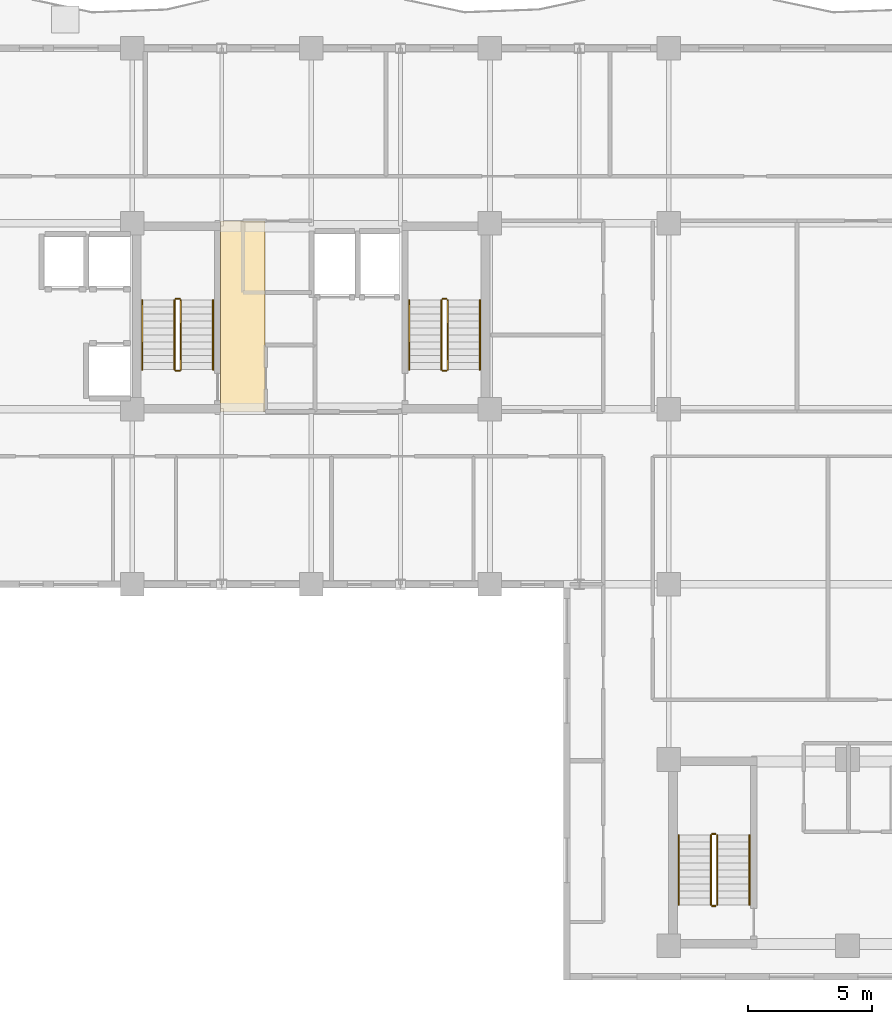
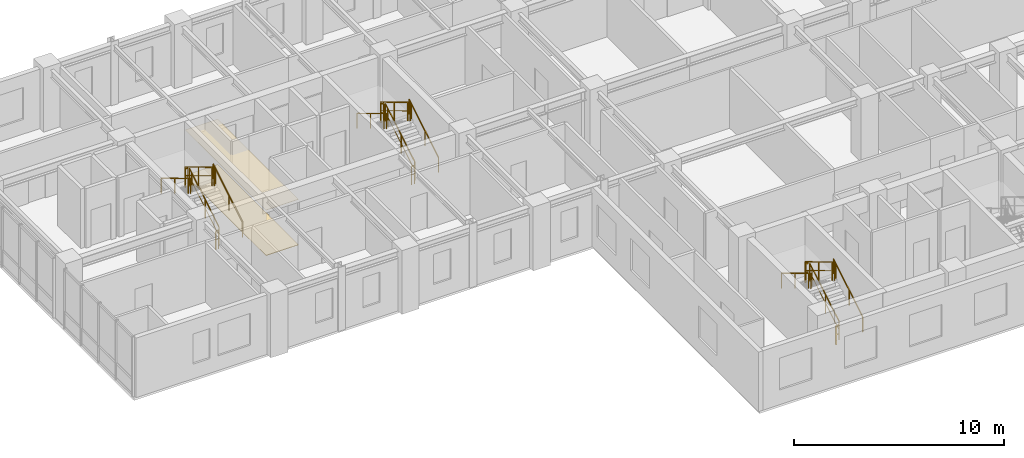
# One storey, part 18 of 20: 18 railings, 2 coverings.
"""IFC4 building model written with IfcOpenShell, lengths in metres."""

import ifcopenshell
import ifcopenshell.guid

model = None  # the IFC model being written
_history = None  # IfcOwnerHistory: only IFC2X3 demands one
_inside = {}  # id of a spatial element -> (the spatial element, [elements in it])
_under = {}  # id of a project, library or spatial element -> (it, [spatial elements below it])
_declared = {}  # id of a project -> (the project, [libraries it declares])
_typed = {}  # id of a type object -> (the type object, [elements of that type])
_made_of = {}  # id of a material, layer set ... -> (it, [elements and type objects made of it])


def new_model(schema):
    """Start an empty IFC model of exactly this schema.

    Asked for "IFC4X3", IfcOpenShell would pick the latest addendum, in which some entities
    have other attributes; the version numbers below select the first issue.
    IFC2X3 requires an IfcOwnerHistory on every rooted entity: one is made here for all.
    """
    global model, _history
    if schema == "IFC4X3":
        model = ifcopenshell.file(schema_version=(4, 3, 0, 0))
    else:
        model = ifcopenshell.file(schema=schema)
    _inside.clear()
    _under.clear()
    _declared.clear()
    _typed.clear()
    _made_of.clear()
    _history = None
    if model.schema == "IFC2X3":
        org = make("IfcOrganization", Name="unknown")
        user = make(
            "IfcPersonAndOrganization",
            ThePerson=make("IfcPerson", FamilyName="unknown"),
            TheOrganization=org,
        )
        app = make(
            "IfcApplication",
            ApplicationDeveloper=org,
            Version="unknown",
            ApplicationFullName="unknown",
            ApplicationIdentifier="unknown",
        )
        _history = make(
            "IfcOwnerHistory",
            OwningUser=user,
            OwningApplication=app,
            ChangeAction="ADDED",
            CreationDate=0,
        )
    return model


def make(cls, **values):
    """One entity of the class cls with the attributes given. An attribute that is None is left unset."""
    return model.create_entity(
        cls, **{name: value for name, value in values.items() if value is not None}
    )


def rooted(cls, **values):
    """An entity with a GlobalId (a new one), such as an element, a storey or a relation."""
    return make(cls, GlobalId=ifcopenshell.guid.new(), OwnerHistory=_history, **values)


def si_unit(unit_type, name, prefix=None):
    """IfcSIUnit, for example si_unit("LENGTHUNIT", "METRE", prefix="MILLI")."""
    return make("IfcSIUnit", UnitType=unit_type, Prefix=prefix, Name=name)


def assignment(units):
    """IfcUnitAssignment: the units of a project."""
    return None if units is None else make("IfcUnitAssignment", Units=units)


def point(xyz):
    """IfcCartesianPoint."""
    return None if xyz is None else make("IfcCartesianPoint", Coordinates=xyz)


def direction(xyz):
    """IfcDirection."""
    return None if xyz is None else make("IfcDirection", DirectionRatios=xyz)


def frame(location, z_axis=None, x_axis=None):
    """IfcAxis2Placement3D, a coordinate frame: its origin and axes. An axis left out is left unset."""
    return make(
        "IfcAxis2Placement3D",
        Location=point(location),
        Axis=direction(z_axis),
        RefDirection=direction(x_axis),
    )


def frame_2d(location, x_axis=None):
    """IfcAxis2Placement2D, a coordinate frame in the plane: its origin and x axis."""
    return make(
        "IfcAxis2Placement2D", Location=point(location), RefDirection=direction(x_axis)
    )


def origin():
    """The frame at (0, 0, 0) with its axes left unset."""
    return frame((0.0, 0.0, 0.0))


def origin_2d():
    """The frame at (0, 0) in the plane with its x axis left unset."""
    return frame_2d((0.0, 0.0))


def place(relative_to, where):
    """IfcLocalPlacement: puts the frame where relative to a parent placement (None: the world)."""
    return make(
        "IfcLocalPlacement", PlacementRelTo=relative_to, RelativePlacement=where
    )


def context(
    kind, dimensions, precision=None, world=None, true_north=None, identifier=None
):
    """IfcGeometricRepresentationContext, for example the 3D "Model" context."""
    return make(
        "IfcGeometricRepresentationContext",
        ContextIdentifier=identifier,
        ContextType=kind,
        CoordinateSpaceDimension=dimensions,
        Precision=precision,
        WorldCoordinateSystem=world,
        TrueNorth=true_north,
    )


def subcontext(parent, identifier, kind, view, scale=None):
    """IfcGeometricRepresentationSubContext, for example "Body" below "Model"."""
    return make(
        "IfcGeometricRepresentationSubContext",
        ContextIdentifier=identifier,
        ContextType=kind,
        ParentContext=parent,
        TargetScale=scale,
        TargetView=view,
    )


def project(units=None, contexts=None):
    """IfcProject with its units and contexts."""
    return rooted(
        "IfcProject",
        Name="project",
        RepresentationContexts=contexts,
        UnitsInContext=assignment(units),
    )


def spatial(cls, under=None, at=None, **own):
    """A site, building, storey or space (cls), placed at a placement, below another one or the project."""
    s = rooted(cls, ObjectPlacement=at, **own)
    if under is not None:
        _under.setdefault(under.id(), (under, []))[1].append(s)
    return s


def profile(cls, at=None, kind="AREA", **sizes):
    """A parametric profile (cls). Its sizes go by their IFC names, for example OverallWidth=200.0."""
    return make(cls, ProfileType=kind, Position=at, **sizes)


def rectangle(**sizes):
    """IfcRectangleProfileDef."""
    return profile("IfcRectangleProfileDef", **sizes)


def extrude(swept, where, along, depth):
    """IfcExtrudedAreaSolid: the profile swept, set in the frame where, extruded along a direction by depth."""
    return make(
        "IfcExtrudedAreaSolid",
        SweptArea=swept,
        Position=where,
        ExtrudedDirection=direction(along),
        Depth=depth,
    )


def shape(context_of_items, identifier, shape_type, items):
    """IfcShapeRepresentation: the items that make up one representation, for example the "Body"."""
    return make(
        "IfcShapeRepresentation",
        ContextOfItems=context_of_items,
        RepresentationIdentifier=identifier,
        RepresentationType=shape_type,
        Items=items,
    )


def source(mapping_origin, context_of_items, identifier, shape_type, items):
    """IfcRepresentationMap: a shape defined once, which mapped items show again and again."""
    return make(
        "IfcRepresentationMap",
        MappingOrigin=mapping_origin,
        MappedRepresentation=shape(context_of_items, identifier, shape_type, items),
    )


def transform(
    local_origin,
    x_axis=None,
    y_axis=None,
    z_axis=None,
    scale=None,
    scale2=None,
    scale3=None,
    uniform=True,
):
    """IfcCartesianTransformationOperator3D, or its non-uniform kind. x_axis, y_axis, z_axis: its Axis1, 2, 3."""
    if uniform:
        return make(
            "IfcCartesianTransformationOperator3D",
            Axis1=direction(x_axis),
            Axis2=direction(y_axis),
            LocalOrigin=point(local_origin),
            Scale=scale,
            Axis3=direction(z_axis),
        )
    return make(
        "IfcCartesianTransformationOperator3DnonUniform",
        Axis1=direction(x_axis),
        Axis2=direction(y_axis),
        LocalOrigin=point(local_origin),
        Scale=scale,
        Axis3=direction(z_axis),
        Scale2=scale2,
        Scale3=scale3,
    )


def mapped(mapping_source, mapping_target):
    """IfcMappedItem: shows the shape of a source again, moved by a transform."""
    return make(
        "IfcMappedItem", MappingSource=mapping_source, MappingTarget=mapping_target
    )


def material(Name=None, Category=None):
    """IfcMaterial."""
    return make("IfcMaterial", Name=Name, Category=Category)


def layer(
    of_material, thickness, ventilated=None, Name=None, Category=None, Priority=None
):
    """IfcMaterialLayer: one layer of a wall or slab, of a material (None: an air gap)."""
    return make(
        "IfcMaterialLayer",
        Material=of_material,
        LayerThickness=thickness,
        IsVentilated=ventilated,
        Name=Name,
        Category=Category,
        Priority=Priority,
    )


def layer_set(layers, Name=None):
    """IfcMaterialLayerSet."""
    return make("IfcMaterialLayerSet", MaterialLayers=layers, LayerSetName=Name)


def made_of(thing, what):
    """Note that an element or type object is made of a material, layer set ...; save() writes the relation."""
    if what is not None:
        _made_of.setdefault(what.id(), (what, []))[1].append(thing)
    return thing


def type_object(cls, material=None, **own):
    """A type object (cls), such as IfcWallType, which elements share."""
    return made_of(rooted(cls, **own), material)


def element(
    cls,
    number,
    at=None,
    inside=None,
    cuts=None,
    type_object=None,
    material=None,
    context=None,
    identifier="Body",
    shape_type=None,
    held_by="IfcProductDefinitionShape",
    body=None,
    shapes=None,
    **own,
):
    """One element of the class cls, such as IfcWall. Its Tag is "e" and its number.

    at: its placement. inside: the storey or other place that contains it. cuts: it is an
    opening in that element (IfcRelVoidsElement). A single representation is given by context,
    identifier, shape_type and body (its items); several are given by shapes. held_by: the class
    of the entity that holds the representations. save() writes the other relations.
    """
    e = rooted(cls, Tag="e%d" % number, ObjectPlacement=at, **own)
    if body is not None:
        shapes = [shape(context, identifier, shape_type, body)]
    if shapes is not None:
        e.Representation = make(held_by, Representations=shapes)
    if inside is not None:
        _inside.setdefault(inside.id(), (inside, []))[1].append(e)
    if cuts is not None:
        rooted(
            "IfcRelVoidsElement", RelatingBuildingElement=cuts, RelatedOpeningElement=e
        )
    if type_object is not None:
        _typed.setdefault(type_object.id(), (type_object, []))[1].append(e)
    return made_of(e, material)


def aggregate(whole, parts):
    """IfcRelAggregates: a whole, such as a stair, and the parts it consists of."""
    return rooted("IfcRelAggregates", RelatingObject=whole, RelatedObjects=parts)


def save(model, path):
    """Write the relations noted so far, then the file.

    IfcRelAggregates (storeys below a building ...), IfcRelContainedInSpatialStructure (elements
    in a storey), IfcRelDefinesByType, IfcRelAssociatesMaterial and IfcRelDeclares: one each for
    every whole, place, type object, material and project.
    """
    for whole, parts in _under.values():
        aggregate(whole, parts)
    for where, things in _inside.values():
        rooted(
            "IfcRelContainedInSpatialStructure",
            RelatedElements=things,
            RelatingStructure=where,
        )
    for kind, things in _typed.values():
        rooted("IfcRelDefinesByType", RelatedObjects=things, RelatingType=kind)
    for what, things in _made_of.values():
        rooted("IfcRelAssociatesMaterial", RelatedObjects=things, RelatingMaterial=what)
    for by, libraries in _declared.values():
        rooted("IfcRelDeclares", RelatingContext=by, RelatedDefinitions=libraries)
    model.write(path)


model = new_model("IFC4")

# Units and contexts
model_context = context("Model", 3, precision=1e-05, world=origin(), true_north=direction((0.0, 1.0)))
body_context = subcontext(model_context, "Body", "Model", "MODEL_VIEW")
ifc_project = project(units=[si_unit("LENGTHUNIT", "METRE"), si_unit("AREAUNIT", "SQUARE_METRE"), si_unit("VOLUMEUNIT", "CUBIC_METRE"), si_unit("PLANEANGLEUNIT", "RADIAN"), si_unit("MASSUNIT", "GRAM", prefix="KILO")], contexts=[model_context])

# Site, building, storey
site_placement = place(None, origin())
site = spatial("IfcSite", under=ifc_project, at=site_placement, CompositionType="ELEMENT")
building_placement = place(site_placement, origin())
building = spatial("IfcBuilding", under=site, at=building_placement, Name="Kaliganga Portal Commons", CompositionType="ELEMENT")
storey_placement = place(building_placement, frame((0.0, 0.0, 216.60009765625)))
storey = spatial("IfcBuildingStorey", under=building, at=storey_placement, Name="L55", CompositionType="ELEMENT", Elevation=216.60009765625)

# Railings
ifc_material_1 = material(Name="Galvanized Painted Steel Balustrade", Category="steel")
railing_type_1 = type_object("IfcRailingType", Name="RLG-STAIR-GRD", PredefinedType="GUARDRAIL", material=ifc_material_1)
railing_1_placement = place(storey_placement, frame((16.35009765625, 30.25, 0.16796875)))
element("IfcRailing", 1, at=railing_1_placement, inside=storey, type_object=railing_type_1, Name="L55 ST-A1 stair guard 1", PredefinedType="GUARDRAIL", context=body_context, shape_type="SweptSolid", body=[
    extrude(rectangle(XDim=0.048095703125, YDim=0.048095703125, at=origin_2d()), frame((0.0, 0.0, 1.072021484375), z_axis=(0.0, 0.857242210791, 0.514913383045), x_axis=(-1.0, 0.0, 0.0)), (0.0, 0.0, 1.0), 3.266357421875),
    extrude(rectangle(XDim=0.028076171875, YDim=0.028076171875, at=origin_2d()), frame((0.0, 0.0, 0.572021484375), z_axis=(0.0, 0.857242210791, 0.514913383045), x_axis=(-1.0, 0.0, 0.0)), (0.0, 0.0, 1.0), 3.266357421875),
    extrude(rectangle(XDim=0.0419921875, YDim=0.0419921875, at=origin_2d()), origin(), (0.0, 0.0, 1.0), 1.052001953125),
    extrude(rectangle(XDim=0.0419921875, YDim=0.0419921875, at=origin_2d()), frame((0.0, 1.285888671875, 0.7724609375)), (0.0, 0.0, 1.0), 1.052001953125),
    extrude(rectangle(XDim=0.0419921875, YDim=0.0419921875, at=origin_2d()), frame((0.0, 2.57177734375, 1.544677734375)), (0.0, 0.0, 1.0), 1.052001953125),
    extrude(rectangle(XDim=0.0419921875, YDim=0.0419921875, at=origin_2d()), frame((0.0, 2.800048828125, 1.681884765625)), (0.0, 0.0, 1.0), 1.052001953125),
])
railing_2_placement = place(storey_placement, frame((16.300048828125, 33.10009765625, 1.849853515625)))
element("IfcRailing", 2, at=railing_2_placement, inside=storey, type_object=railing_type_1, Name="L55 ST-A1 stair guard 2", PredefinedType="GUARDRAIL", context=body_context, shape_type="SweptSolid", body=[
    extrude(rectangle(XDim=0.048095703125, YDim=0.048095703125, at=origin_2d()), frame((0.0, 0.0, 1.076171875), z_axis=(-1.0, 0.0, 0.0), x_axis=(0.0, -1.0, 0.0)), (0.0, 0.0, 1.0), 0.150146484375),
    extrude(rectangle(XDim=0.028076171875, YDim=0.028076171875, at=origin_2d()), frame((0.0, 0.0, 0.572021484375), z_axis=(-1.0, 0.0, 0.0), x_axis=(0.0, -1.0, 0.0)), (0.0, 0.0, 1.0), 0.150146484375),
    extrude(rectangle(XDim=0.0419921875, YDim=0.0419921875, at=origin_2d()), origin(), (0.0, 0.0, 1.0), 1.052001953125),
    extrude(rectangle(XDim=0.0419921875, YDim=0.0419921875, at=origin_2d()), frame((-0.150146484375, 0.0, 0.0)), (0.0, 0.0, 1.0), 1.052001953125),
])
railing_3_placement = place(storey_placement, frame((16.10009765625, 33.050048828125, 2.01806640625)))
element("IfcRailing", 3, at=railing_3_placement, inside=storey, type_object=railing_type_1, Name="L55 ST-A1 stair guard 3", PredefinedType="GUARDRAIL", context=body_context, shape_type="SweptSolid", body=[
    extrude(rectangle(XDim=0.048095703125, YDim=0.048095703125, at=origin_2d()), frame((0.0, 0.0, 1.072021484375), z_axis=(0.0, -0.857242210791, 0.514913383045), x_axis=(1.0, 0.0, 0.0)), (0.0, 0.0, 1.0), 3.266357421875),
    extrude(rectangle(XDim=0.028076171875, YDim=0.028076171875, at=origin_2d()), frame((0.0, 0.0, 0.572021484375), z_axis=(0.0, -0.857242210791, 0.514913383045), x_axis=(1.0, 0.0, 0.0)), (0.0, 0.0, 1.0), 3.266357421875),
    extrude(rectangle(XDim=0.0419921875, YDim=0.0419921875, at=origin_2d()), origin(), (0.0, 0.0, 1.0), 1.052001953125),
    extrude(rectangle(XDim=0.0419921875, YDim=0.0419921875, at=origin_2d()), frame((0.0, -1.285888671875, 0.7724609375)), (0.0, 0.0, 1.0), 1.052001953125),
    extrude(rectangle(XDim=0.0419921875, YDim=0.0419921875, at=origin_2d()), frame((0.0, -2.57177734375, 1.544677734375)), (0.0, 0.0, 1.0), 1.052001953125),
    extrude(rectangle(XDim=0.0419921875, YDim=0.0419921875, at=origin_2d()), frame((0.0, -2.800048828125, 1.681884765625)), (0.0, 0.0, 1.0), 1.052001953125),
])
railing_4_placement = place(storey_placement, frame((16.300048828125, 30.199951171875, 0.0)))
element("IfcRailing", 4, at=railing_4_placement, inside=storey, type_object=railing_type_1, Name="L55 ST-A1 stair guard 4", PredefinedType="GUARDRAIL", context=body_context, shape_type="SweptSolid", body=[
    extrude(rectangle(XDim=0.048095703125, YDim=0.048095703125, at=origin_2d()), frame((0.0, 0.0, 1.076171875), z_axis=(-1.0, 0.0, 0.0), x_axis=(0.0, -1.0, 0.0)), (0.0, 0.0, 1.0), 0.150146484375),
    extrude(rectangle(XDim=0.028076171875, YDim=0.028076171875, at=origin_2d()), frame((0.0, 0.0, 0.572021484375), z_axis=(-1.0, 0.0, 0.0), x_axis=(0.0, -1.0, 0.0)), (0.0, 0.0, 1.0), 0.150146484375),
    extrude(rectangle(XDim=0.0419921875, YDim=0.0419921875, at=origin_2d()), origin(), (0.0, 0.0, 1.0), 1.052001953125),
    extrude(rectangle(XDim=0.0419921875, YDim=0.0419921875, at=origin_2d()), frame((-0.150146484375, 0.0, 0.0)), (0.0, 0.0, 1.0), 1.052001953125),
])
railing_5_placement = place(storey_placement, frame((27.10009765625, 30.25, 0.16796875)))
element("IfcRailing", 5, at=railing_5_placement, inside=storey, type_object=railing_type_1, Name="L55 ST-A2 stair guard 1", PredefinedType="GUARDRAIL", context=body_context, shape_type="SweptSolid", body=[
    extrude(rectangle(XDim=0.048095703125, YDim=0.048095703125, at=origin_2d()), frame((0.0, 0.0, 1.072021484375), z_axis=(0.0, 0.857242210791, 0.514913383045), x_axis=(-1.0, 0.0, 0.0)), (0.0, 0.0, 1.0), 3.266357421875),
    extrude(rectangle(XDim=0.028076171875, YDim=0.028076171875, at=origin_2d()), frame((0.0, 0.0, 0.572021484375), z_axis=(0.0, 0.857242210791, 0.514913383045), x_axis=(-1.0, 0.0, 0.0)), (0.0, 0.0, 1.0), 3.266357421875),
    extrude(rectangle(XDim=0.0419921875, YDim=0.0419921875, at=origin_2d()), origin(), (0.0, 0.0, 1.0), 1.052001953125),
    extrude(rectangle(XDim=0.0419921875, YDim=0.0419921875, at=origin_2d()), frame((0.0, 1.285888671875, 0.7724609375)), (0.0, 0.0, 1.0), 1.052001953125),
    extrude(rectangle(XDim=0.0419921875, YDim=0.0419921875, at=origin_2d()), frame((0.0, 2.57177734375, 1.544677734375)), (0.0, 0.0, 1.0), 1.052001953125),
    extrude(rectangle(XDim=0.0419921875, YDim=0.0419921875, at=origin_2d()), frame((0.0, 2.800048828125, 1.681884765625)), (0.0, 0.0, 1.0), 1.052001953125),
])
railing_6_placement = place(storey_placement, frame((27.050048828125, 33.10009765625, 1.849853515625)))
element("IfcRailing", 6, at=railing_6_placement, inside=storey, type_object=railing_type_1, Name="L55 ST-A2 stair guard 2", PredefinedType="GUARDRAIL", context=body_context, shape_type="SweptSolid", body=[
    extrude(rectangle(XDim=0.048095703125, YDim=0.048095703125, at=origin_2d()), frame((0.0, 0.0, 1.076171875), z_axis=(-1.0, 0.0, 0.0), x_axis=(0.0, -1.0, 0.0)), (0.0, 0.0, 1.0), 0.150146484375),
    extrude(rectangle(XDim=0.028076171875, YDim=0.028076171875, at=origin_2d()), frame((0.0, 0.0, 0.572021484375), z_axis=(-1.0, 0.0, 0.0), x_axis=(0.0, -1.0, 0.0)), (0.0, 0.0, 1.0), 0.150146484375),
    extrude(rectangle(XDim=0.0419921875, YDim=0.0419921875, at=origin_2d()), origin(), (0.0, 0.0, 1.0), 1.052001953125),
    extrude(rectangle(XDim=0.0419921875, YDim=0.0419921875, at=origin_2d()), frame((-0.150146484375, 0.0, 0.0)), (0.0, 0.0, 1.0), 1.052001953125),
])
railing_7_placement = place(storey_placement, frame((26.85009765625, 33.050048828125, 2.01806640625)))
element("IfcRailing", 7, at=railing_7_placement, inside=storey, type_object=railing_type_1, Name="L55 ST-A2 stair guard 3", PredefinedType="GUARDRAIL", context=body_context, shape_type="SweptSolid", body=[
    extrude(rectangle(XDim=0.048095703125, YDim=0.048095703125, at=origin_2d()), frame((0.0, 0.0, 1.072021484375), z_axis=(0.0, -0.857242210791, 0.514913383045), x_axis=(1.0, 0.0, 0.0)), (0.0, 0.0, 1.0), 3.266357421875),
    extrude(rectangle(XDim=0.028076171875, YDim=0.028076171875, at=origin_2d()), frame((0.0, 0.0, 0.572021484375), z_axis=(0.0, -0.857242210791, 0.514913383045), x_axis=(1.0, 0.0, 0.0)), (0.0, 0.0, 1.0), 3.266357421875),
    extrude(rectangle(XDim=0.0419921875, YDim=0.0419921875, at=origin_2d()), origin(), (0.0, 0.0, 1.0), 1.052001953125),
    extrude(rectangle(XDim=0.0419921875, YDim=0.0419921875, at=origin_2d()), frame((0.0, -1.285888671875, 0.7724609375)), (0.0, 0.0, 1.0), 1.052001953125),
    extrude(rectangle(XDim=0.0419921875, YDim=0.0419921875, at=origin_2d()), frame((0.0, -2.57177734375, 1.544677734375)), (0.0, 0.0, 1.0), 1.052001953125),
    extrude(rectangle(XDim=0.0419921875, YDim=0.0419921875, at=origin_2d()), frame((0.0, -2.800048828125, 1.681884765625)), (0.0, 0.0, 1.0), 1.052001953125),
])
railing_8_placement = place(storey_placement, frame((27.050048828125, 30.199951171875, 0.0)))
element("IfcRailing", 8, at=railing_8_placement, inside=storey, type_object=railing_type_1, Name="L55 ST-A2 stair guard 4", PredefinedType="GUARDRAIL", context=body_context, shape_type="SweptSolid", body=[
    extrude(rectangle(XDim=0.048095703125, YDim=0.048095703125, at=origin_2d()), frame((0.0, 0.0, 1.076171875), z_axis=(-1.0, 0.0, 0.0), x_axis=(0.0, -1.0, 0.0)), (0.0, 0.0, 1.0), 0.150146484375),
    extrude(rectangle(XDim=0.028076171875, YDim=0.028076171875, at=origin_2d()), frame((0.0, 0.0, 0.572021484375), z_axis=(-1.0, 0.0, 0.0), x_axis=(0.0, -1.0, 0.0)), (0.0, 0.0, 1.0), 0.150146484375),
    extrude(rectangle(XDim=0.0419921875, YDim=0.0419921875, at=origin_2d()), origin(), (0.0, 0.0, 1.0), 1.052001953125),
    extrude(rectangle(XDim=0.0419921875, YDim=0.0419921875, at=origin_2d()), frame((-0.150146484375, 0.0, 0.0)), (0.0, 0.0, 1.0), 1.052001953125),
])
railing_9_placement = place(storey_placement, frame((37.949951171875, 8.699951171875, 0.16796875)))
element("IfcRailing", 9, at=railing_9_placement, inside=storey, type_object=railing_type_1, Name="L55 ST-B1 stair guard 1", PredefinedType="GUARDRAIL", context=body_context, shape_type="SweptSolid", body=[
    extrude(rectangle(XDim=0.048095703125, YDim=0.048095703125, at=origin_2d()), frame((0.0, 0.0, 1.072021484375), z_axis=(0.0, 0.857242210791, 0.514913383045), x_axis=(-1.0, 0.0, 0.0)), (0.0, 0.0, 1.0), 3.266357421875),
    extrude(rectangle(XDim=0.028076171875, YDim=0.028076171875, at=origin_2d()), frame((0.0, 0.0, 0.572021484375), z_axis=(0.0, 0.857242210791, 0.514913383045), x_axis=(-1.0, 0.0, 0.0)), (0.0, 0.0, 1.0), 3.266357421875),
    extrude(rectangle(XDim=0.0419921875, YDim=0.0419921875, at=origin_2d()), origin(), (0.0, 0.0, 1.0), 1.052001953125),
    extrude(rectangle(XDim=0.0419921875, YDim=0.0419921875, at=origin_2d()), frame((0.0, 1.285888671875, 0.7724609375)), (0.0, 0.0, 1.0), 1.052001953125),
    extrude(rectangle(XDim=0.0419921875, YDim=0.0419921875, at=origin_2d()), frame((0.0, 2.57177734375, 1.544677734375)), (0.0, 0.0, 1.0), 1.052001953125),
    extrude(rectangle(XDim=0.0419921875, YDim=0.0419921875, at=origin_2d()), frame((0.0, 2.800048828125, 1.681884765625)), (0.0, 0.0, 1.0), 1.052001953125),
])
railing_10_placement = place(storey_placement, frame((37.89990234375, 11.550048828125, 1.849853515625)))
element("IfcRailing", 10, at=railing_10_placement, inside=storey, type_object=railing_type_1, Name="L55 ST-B1 stair guard 2", PredefinedType="GUARDRAIL", context=body_context, shape_type="SweptSolid", body=[
    extrude(rectangle(XDim=0.048095703125, YDim=0.048095703125, at=origin_2d()), frame((0.0, 0.0, 1.076171875), z_axis=(-1.0, 0.0, 0.0), x_axis=(0.0, -1.0, 0.0)), (0.0, 0.0, 1.0), 0.14990234375),
    extrude(rectangle(XDim=0.028076171875, YDim=0.028076171875, at=origin_2d()), frame((0.0, 0.0, 0.572021484375), z_axis=(-1.0, 0.0, 0.0), x_axis=(0.0, -1.0, 0.0)), (0.0, 0.0, 1.0), 0.14990234375),
    extrude(rectangle(XDim=0.0419921875, YDim=0.0419921875, at=origin_2d()), frame((-0.14990234375, 0.0, 0.0)), (0.0, 0.0, 1.0), 1.052001953125),
])
railing_11_placement = place(storey_placement, frame((37.699951171875, 11.5, 2.01806640625)))
element("IfcRailing", 11, at=railing_11_placement, inside=storey, type_object=railing_type_1, Name="L55 ST-B1 stair guard 3", PredefinedType="GUARDRAIL", context=body_context, shape_type="SweptSolid", body=[
    extrude(rectangle(XDim=0.048095703125, YDim=0.048095703125, at=origin_2d()), frame((0.0, 0.0, 1.072021484375), z_axis=(0.0, -0.857242210791, 0.514913383045), x_axis=(1.0, 0.0, 0.0)), (0.0, 0.0, 1.0), 3.266357421875),
    extrude(rectangle(XDim=0.028076171875, YDim=0.028076171875, at=origin_2d()), frame((0.0, 0.0, 0.572021484375), z_axis=(0.0, -0.857242210791, 0.514913383045), x_axis=(1.0, 0.0, 0.0)), (0.0, 0.0, 1.0), 3.266357421875),
    extrude(rectangle(XDim=0.0419921875, YDim=0.0419921875, at=origin_2d()), origin(), (0.0, 0.0, 1.0), 1.052001953125),
    extrude(rectangle(XDim=0.0419921875, YDim=0.0419921875, at=origin_2d()), frame((0.0, -1.285888671875, 0.7724609375)), (0.0, 0.0, 1.0), 1.052001953125),
    extrude(rectangle(XDim=0.0419921875, YDim=0.0419921875, at=origin_2d()), frame((0.0, -2.57177734375, 1.544677734375)), (0.0, 0.0, 1.0), 1.052001953125),
    extrude(rectangle(XDim=0.0419921875, YDim=0.0419921875, at=origin_2d()), frame((0.0, -2.800048828125, 1.681884765625)), (0.0, 0.0, 1.0), 1.052001953125),
])
railing_12_placement = place(storey_placement, frame((37.89990234375, 8.64990234375, 0.0)))
element("IfcRailing", 12, at=railing_12_placement, inside=storey, type_object=railing_type_1, Name="L55 ST-B1 stair guard 4", PredefinedType="GUARDRAIL", context=body_context, shape_type="SweptSolid", body=[
    extrude(rectangle(XDim=0.048095703125, YDim=0.048095703125, at=origin_2d()), frame((0.0, 0.0, 1.076171875), z_axis=(-1.0, 0.0, 0.0), x_axis=(0.0, -1.0, 0.0)), (0.0, 0.0, 1.0), 0.14990234375),
    extrude(rectangle(XDim=0.028076171875, YDim=0.028076171875, at=origin_2d()), frame((0.0, 0.0, 0.572021484375), z_axis=(-1.0, 0.0, 0.0), x_axis=(0.0, -1.0, 0.0)), (0.0, 0.0, 1.0), 0.14990234375),
    extrude(rectangle(XDim=0.0419921875, YDim=0.0419921875, at=origin_2d()), frame((-0.14990234375, 0.0, 0.0)), (0.0, 0.0, 1.0), 1.052001953125),
])
ifc_material_2 = material(Name="Brushed Stainless Steel 316", Category="steel")
railing_type_2 = type_object("IfcRailingType", Name="RLG-STAIR-HR", PredefinedType="HANDRAIL", material=ifc_material_2)
railing_13_placement = place(storey_placement, frame((17.64990234375, 30.25, 0.16796875)))
element("IfcRailing", 13, at=railing_13_placement, inside=storey, type_object=railing_type_2, Name="L55 ST-A1 stair handrail 1", PredefinedType="HANDRAIL", context=body_context, shape_type="SweptSolid", body=[
    extrude(rectangle(XDim=0.048095703125, YDim=0.048095703125, at=origin_2d()), frame((0.0, 0.0, 0.871826171875), z_axis=(0.0, 0.857242210791, 0.514913383045), x_axis=(-1.0, 0.0, 0.0)), (0.0, 0.0, 1.0), 3.266357421875),
    extrude(rectangle(XDim=0.0419921875, YDim=0.0419921875, at=origin_2d()), origin(), (0.0, 0.0, 1.0), 0.851806640625),
    extrude(rectangle(XDim=0.0419921875, YDim=0.0419921875, at=origin_2d()), frame((0.0, 1.285888671875, 0.7724609375)), (0.0, 0.0, 1.0), 0.851806640625),
    extrude(rectangle(XDim=0.0419921875, YDim=0.0419921875, at=origin_2d()), frame((0.0, 2.57177734375, 1.544677734375)), (0.0, 0.0, 1.0), 0.851806640625),
    extrude(rectangle(XDim=0.0419921875, YDim=0.0419921875, at=origin_2d()), frame((0.0, 2.800048828125, 1.681884765625)), (0.0, 0.0, 1.0), 0.851806640625),
])
railing_14_placement = place(storey_placement, frame((14.800048828125, 33.050048828125, 2.01806640625)))
element("IfcRailing", 14, at=railing_14_placement, inside=storey, type_object=railing_type_2, Name="L55 ST-A1 stair handrail 2", PredefinedType="HANDRAIL", context=body_context, shape_type="SweptSolid", body=[
    extrude(rectangle(XDim=0.048095703125, YDim=0.048095703125, at=origin_2d()), frame((0.0, 0.0, 0.871826171875), z_axis=(0.0, -0.857242210791, 0.514913383045), x_axis=(1.0, 0.0, 0.0)), (0.0, 0.0, 1.0), 3.266357421875),
    extrude(rectangle(XDim=0.0419921875, YDim=0.0419921875, at=origin_2d()), origin(), (0.0, 0.0, 1.0), 0.851806640625),
    extrude(rectangle(XDim=0.0419921875, YDim=0.0419921875, at=origin_2d()), frame((0.0, -1.285888671875, 0.7724609375)), (0.0, 0.0, 1.0), 0.851806640625),
    extrude(rectangle(XDim=0.0419921875, YDim=0.0419921875, at=origin_2d()), frame((0.0, -2.57177734375, 1.544677734375)), (0.0, 0.0, 1.0), 0.851806640625),
    extrude(rectangle(XDim=0.0419921875, YDim=0.0419921875, at=origin_2d()), frame((0.0, -2.800048828125, 1.681884765625)), (0.0, 0.0, 1.0), 0.851806640625),
])
railing_15_placement = place(storey_placement, frame((28.39990234375, 30.25, 0.16796875)))
element("IfcRailing", 15, at=railing_15_placement, inside=storey, type_object=railing_type_2, Name="L55 ST-A2 stair handrail 1", PredefinedType="HANDRAIL", context=body_context, shape_type="SweptSolid", body=[
    extrude(rectangle(XDim=0.048095703125, YDim=0.048095703125, at=origin_2d()), frame((0.0, 0.0, 0.871826171875), z_axis=(0.0, 0.857242210791, 0.514913383045), x_axis=(-1.0, 0.0, 0.0)), (0.0, 0.0, 1.0), 3.266357421875),
    extrude(rectangle(XDim=0.0419921875, YDim=0.0419921875, at=origin_2d()), origin(), (0.0, 0.0, 1.0), 0.851806640625),
    extrude(rectangle(XDim=0.0419921875, YDim=0.0419921875, at=origin_2d()), frame((0.0, 1.285888671875, 0.7724609375)), (0.0, 0.0, 1.0), 0.851806640625),
    extrude(rectangle(XDim=0.0419921875, YDim=0.0419921875, at=origin_2d()), frame((0.0, 2.57177734375, 1.544677734375)), (0.0, 0.0, 1.0), 0.851806640625),
    extrude(rectangle(XDim=0.0419921875, YDim=0.0419921875, at=origin_2d()), frame((0.0, 2.800048828125, 1.681884765625)), (0.0, 0.0, 1.0), 0.851806640625),
])
railing_16_placement = place(storey_placement, frame((25.550048828125, 33.050048828125, 2.01806640625)))
element("IfcRailing", 16, at=railing_16_placement, inside=storey, type_object=railing_type_2, Name="L55 ST-A2 stair handrail 2", PredefinedType="HANDRAIL", context=body_context, shape_type="SweptSolid", body=[
    extrude(rectangle(XDim=0.048095703125, YDim=0.048095703125, at=origin_2d()), frame((0.0, 0.0, 0.871826171875), z_axis=(0.0, -0.857242210791, 0.514913383045), x_axis=(1.0, 0.0, 0.0)), (0.0, 0.0, 1.0), 3.266357421875),
    extrude(rectangle(XDim=0.0419921875, YDim=0.0419921875, at=origin_2d()), origin(), (0.0, 0.0, 1.0), 0.851806640625),
    extrude(rectangle(XDim=0.0419921875, YDim=0.0419921875, at=origin_2d()), frame((0.0, -1.285888671875, 0.7724609375)), (0.0, 0.0, 1.0), 0.851806640625),
    extrude(rectangle(XDim=0.0419921875, YDim=0.0419921875, at=origin_2d()), frame((0.0, -2.57177734375, 1.544677734375)), (0.0, 0.0, 1.0), 0.851806640625),
    extrude(rectangle(XDim=0.0419921875, YDim=0.0419921875, at=origin_2d()), frame((0.0, -2.800048828125, 1.681884765625)), (0.0, 0.0, 1.0), 0.851806640625),
])
railing_17_placement = place(storey_placement, frame((39.25, 8.699951171875, 0.16796875)))
element("IfcRailing", 17, at=railing_17_placement, inside=storey, type_object=railing_type_2, Name="L55 ST-B1 stair handrail 1", PredefinedType="HANDRAIL", context=body_context, shape_type="SweptSolid", body=[
    extrude(rectangle(XDim=0.048095703125, YDim=0.048095703125, at=origin_2d()), frame((0.0, 0.0, 0.871826171875), z_axis=(0.0, 0.857242210791, 0.514913383045), x_axis=(-1.0, 0.0, 0.0)), (0.0, 0.0, 1.0), 3.266357421875),
    extrude(rectangle(XDim=0.0419921875, YDim=0.0419921875, at=origin_2d()), origin(), (0.0, 0.0, 1.0), 0.851806640625),
    extrude(rectangle(XDim=0.0419921875, YDim=0.0419921875, at=origin_2d()), frame((0.0, 1.285888671875, 0.7724609375)), (0.0, 0.0, 1.0), 0.851806640625),
    extrude(rectangle(XDim=0.0419921875, YDim=0.0419921875, at=origin_2d()), frame((0.0, 2.57177734375, 1.544677734375)), (0.0, 0.0, 1.0), 0.851806640625),
    extrude(rectangle(XDim=0.0419921875, YDim=0.0419921875, at=origin_2d()), frame((0.0, 2.800048828125, 1.681884765625)), (0.0, 0.0, 1.0), 0.851806640625),
])
railing_18_placement = place(storey_placement, frame((36.39990234375, 11.5, 2.01806640625)))
element("IfcRailing", 18, at=railing_18_placement, inside=storey, type_object=railing_type_2, Name="L55 ST-B1 stair handrail 2", PredefinedType="HANDRAIL", context=body_context, shape_type="SweptSolid", body=[
    extrude(rectangle(XDim=0.048095703125, YDim=0.048095703125, at=origin_2d()), frame((0.0, 0.0, 0.871826171875), z_axis=(0.0, -0.857242210791, 0.514913383045), x_axis=(1.0, 0.0, 0.0)), (0.0, 0.0, 1.0), 3.266357421875),
    extrude(rectangle(XDim=0.0419921875, YDim=0.0419921875, at=origin_2d()), origin(), (0.0, 0.0, 1.0), 0.851806640625),
    extrude(rectangle(XDim=0.0419921875, YDim=0.0419921875, at=origin_2d()), frame((0.0, -1.285888671875, 0.7724609375)), (0.0, 0.0, 1.0), 0.851806640625),
    extrude(rectangle(XDim=0.0419921875, YDim=0.0419921875, at=origin_2d()), frame((0.0, -2.57177734375, 1.544677734375)), (0.0, 0.0, 1.0), 0.851806640625),
    extrude(rectangle(XDim=0.0419921875, YDim=0.0419921875, at=origin_2d()), frame((0.0, -2.800048828125, 1.681884765625)), (0.0, 0.0, 1.0), 0.851806640625),
])

# Coverings
ifc_material_3 = material(Name="Acoustic Micro-Perforated Gypsum Ceiling", Category="gypsum")
ifc_layer_1 = layer(ifc_material_3, 0.02001953125)
ifc_layer_set_1 = layer_set([ifc_layer_1], Name="Acoustic Micro-Perforated Gypsum Ceiling")
covering_type_1 = type_object("IfcCoveringType", Name="COV-CEIL-GYP", PredefinedType="CEILING", material=ifc_layer_set_1)
shared_shape_1 = source(origin(), body_context, "Body", "SweptSolid", [
    extrude(rectangle(XDim=1.780029296875, YDim=7.679931640625, at=origin_2d()), origin(), (0.0, 0.0, 1.0), 0.02001953125),
])
covering_1_placement = place(storey_placement, frame((18.85009765625, 32.39990234375, 2.639892578125), z_axis=(0.0, 0.0, 1.0), x_axis=(1.0, 0.0, 0.0)))
element("IfcCovering", 19, at=covering_1_placement, inside=storey, type_object=covering_type_1, Name="Acoustic Ceiling L55 PLOB_A", PredefinedType="CEILING", context=body_context, shape_type="MappedRepresentation", body=[
    mapped(shared_shape_1, transform((0.0, 0.0, 0.0), x_axis=(1.0, 0.0, 0.0), y_axis=(0.0, 1.0, 0.0), z_axis=(0.0, 0.0, 1.0), scale=1.0)),
])
ifc_material_4 = material(Name="Polished Sylhet Stone Terrazzo Flooring", Category="masonry")
ifc_layer_2 = layer(ifc_material_4, 0.02490234375)
ifc_layer_set_2 = layer_set([ifc_layer_2], Name="Polished Sylhet Stone Terrazzo Flooring")
covering_type_2 = type_object("IfcCoveringType", Name="COV-FLR-TERRAZZO", PredefinedType="FLOORING", material=ifc_layer_set_2)
shared_shape_2 = source(origin(), body_context, "Body", "SweptSolid", [
    extrude(rectangle(XDim=1.780029296875, YDim=7.679931640625, at=origin_2d()), origin(), (0.0, 0.0, 1.0), 0.02490234375),
])
covering_2_placement = place(storey_placement, frame((18.85009765625, 32.39990234375, 0.00048828125), z_axis=(0.0, 0.0, 1.0), x_axis=(1.0, 0.0, 0.0)))
element("IfcCovering", 20, at=covering_2_placement, inside=storey, type_object=covering_type_2, Name="Terrazzo Flooring L55 PLOB_A", PredefinedType="FLOORING", context=body_context, shape_type="MappedRepresentation", body=[
    mapped(shared_shape_2, transform((0.0, 0.0, 0.0), x_axis=(1.0, 0.0, 0.0), y_axis=(0.0, 1.0, 0.0), z_axis=(0.0, 0.0, 1.0), scale=1.0)),
])

save(model, "model.ifc")
